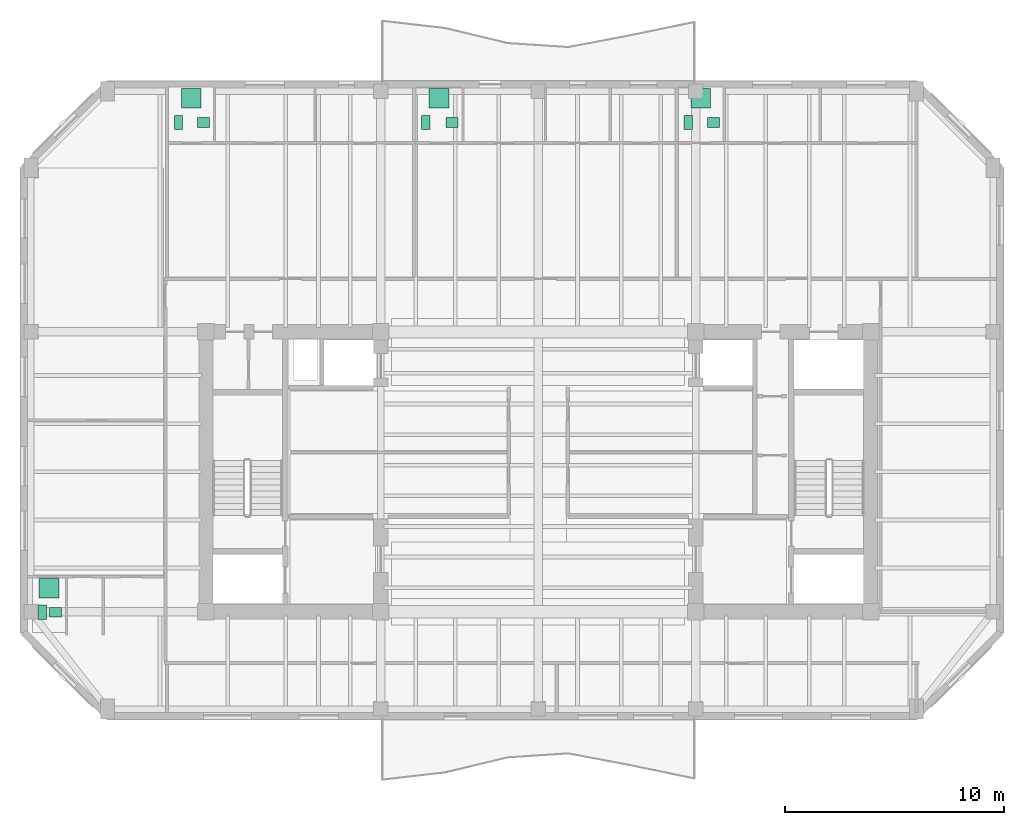
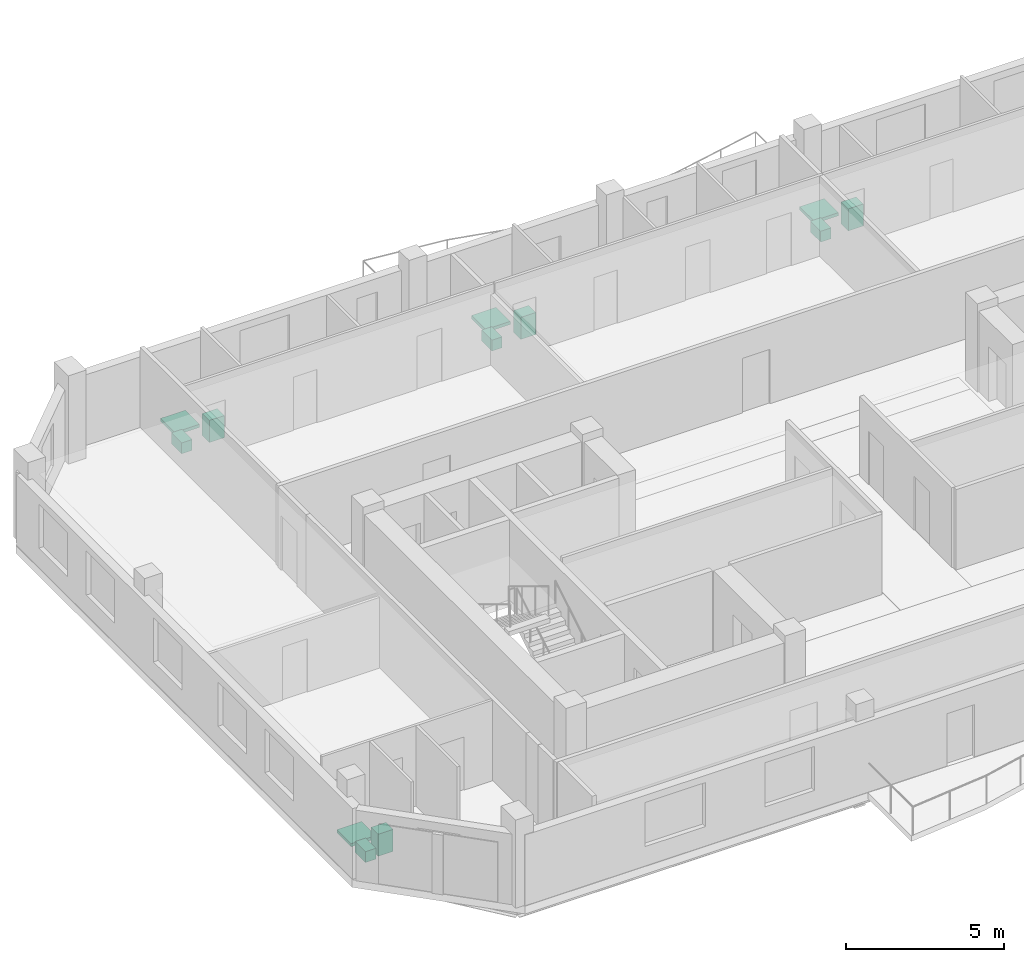
# One storey, part 10 of 10: 12 sanitary terminals.
"""IFC4 building model written with IfcOpenShell, lengths in metres."""

from ifc_helpers import new_model, si_unit, direction, frame, origin, origin_2d, place, context, subcontext, project, spatial, rectangle, extrude, material, type_object, element, save


model = new_model("IFC4")

# Units and contexts
model_context = context("Model", 3, precision=1e-05, world=origin(), true_north=direction((0.0, 1.0)))
body_context = subcontext(model_context, "Body", "Model", "MODEL_VIEW")
ifc_project = project(units=[si_unit("LENGTHUNIT", "METRE"), si_unit("AREAUNIT", "SQUARE_METRE"), si_unit("VOLUMEUNIT", "CUBIC_METRE"), si_unit("PLANEANGLEUNIT", "RADIAN"), si_unit("MASSUNIT", "GRAM", prefix="KILO")], contexts=[model_context])

# Site, building, storey
site_placement = place(None, origin())
site = spatial("IfcSite", under=ifc_project, at=site_placement, CompositionType="ELEMENT")
building_placement = place(site_placement, origin())
building = spatial("IfcBuilding", under=site, at=building_placement, Name="Kranthara Brick Stack", CompositionType="ELEMENT")
storey_placement = place(building_placement, frame((0.0, 0.0, 275.5)))
storey = spatial("IfcBuildingStorey", under=building, at=storey_placement, Name="L73", CompositionType="ELEMENT", Elevation=275.5)

# Sanitary terminals
ifc_material_1 = material(Name="Vitreous china sanitary porcelain", Category="other")
sanitary_terminal_type_1 = type_object("IfcSanitaryTerminalType", Name="SAN-BASIN", PredefinedType="WASHHANDBASIN", material=ifc_material_1)
for number, where, z_axis, x_axis, name in (
    (1, (12.699951171875, 43.175048828125, 0.0), (0.0, 0.0, 1.0), (1.0, 0.0, 0.0), "L73 Washbasin 377"),
    (2, (24.06201171875, 43.175048828125, 0.0), (0.0, 0.0, 1.0), (1.0, 0.0, 0.0), "L73 Washbasin 378"),
    (3, (36.010009765625, 43.175048828125, 0.0), (0.0, 0.0, 1.0), (1.0, 0.0, 0.0), "L73 Washbasin 379"),
    (4, (5.925048828125, 20.77490234375, 0.0), (0.0, 0.0, 1.0), (1.0, 0.0, 0.0), "L73 Washbasin 380"),
):
    element("IfcSanitaryTerminal", number, at=place(storey_placement, frame(where, z_axis=z_axis, x_axis=x_axis)), inside=storey, type_object=sanitary_terminal_type_1, Name=name, PredefinedType="WASHHANDBASIN", context=body_context, shape_type="SweptSolid", body=[
        extrude(rectangle(XDim=0.550048828125, YDim=0.449951171875, at=origin_2d()), origin(), (0.0, 0.0, 1.0), 0.85009765625),
    ])
ifc_material_2 = material(Name="Acrylic and porcelain shower tray", Category="other")
sanitary_terminal_type_2 = type_object("IfcSanitaryTerminalType", Name="SAN-SHOWER", PredefinedType="SHOWER", material=ifc_material_2)
for number, where, z_axis, x_axis, name in (
    (5, (12.125, 44.280029296875, 0.0), (0.0, 0.0, 1.0), (1.0, 0.0, 0.0), "L73 Shower Tray 377"),
    (6, (23.4619140625, 44.280029296875, 0.0), (0.0, 0.0, 1.0), (1.0, 0.0, 0.0), "L73 Shower Tray 378"),
    (7, (35.43505859375, 44.280029296875, 0.0), (0.0, 0.0, 1.0), (1.0, 0.0, 0.0), "L73 Shower Tray 379"),
    (8, (5.623046875, 21.8798828125, 0.0), (0.0, 0.0, 1.0), (1.0, 0.0, 0.0), "L73 Shower Tray 380"),
):
    element("IfcSanitaryTerminal", number, at=place(storey_placement, frame(where, z_axis=z_axis, x_axis=x_axis)), inside=storey, type_object=sanitary_terminal_type_2, Name=name, PredefinedType="SHOWER", context=body_context, shape_type="SweptSolid", body=[
        extrude(rectangle(XDim=0.89990234375, YDim=0.89990234375, at=origin_2d()), origin(), (0.0, 0.0, 1.0), 0.1201171875),
    ])
ifc_material_3 = material(Name="Vitreous china sanitary porcelain", Category="other")
sanitary_terminal_type_3 = type_object("IfcSanitaryTerminalType", Name="SAN-WC-PAN", PredefinedType="TOILETPAN", material=ifc_material_3)
for number, where, z_axis, x_axis, name in (
    (9, (11.550048828125, 43.175048828125, 0.0), (0.0, 0.0, 1.0), (1.0, 0.0, 0.0), "L73 WC Pan 377"),
    (10, (22.862060546875, 43.175048828125, 0.0), (0.0, 0.0, 1.0), (1.0, 0.0, 0.0), "L73 WC Pan 378"),
    (11, (34.860107421875, 43.175048828125, 0.0), (0.0, 0.0, 1.0), (1.0, 0.0, 0.0), "L73 WC Pan 379"),
    (12, (5.320068359375, 20.77490234375, 0.0), (0.0, 0.0, 1.0), (1.0, 0.0, 0.0), "L73 WC Pan 380"),
):
    element("IfcSanitaryTerminal", number, at=place(storey_placement, frame(where, z_axis=z_axis, x_axis=x_axis)), inside=storey, type_object=sanitary_terminal_type_3, Name=name, PredefinedType="TOILETPAN", context=body_context, shape_type="SweptSolid", body=[
        extrude(rectangle(XDim=0.3798828125, YDim=0.64990234375, at=origin_2d()), origin(), (0.0, 0.0, 1.0), 0.419921875),
    ])

save(model, "model.ifc")
